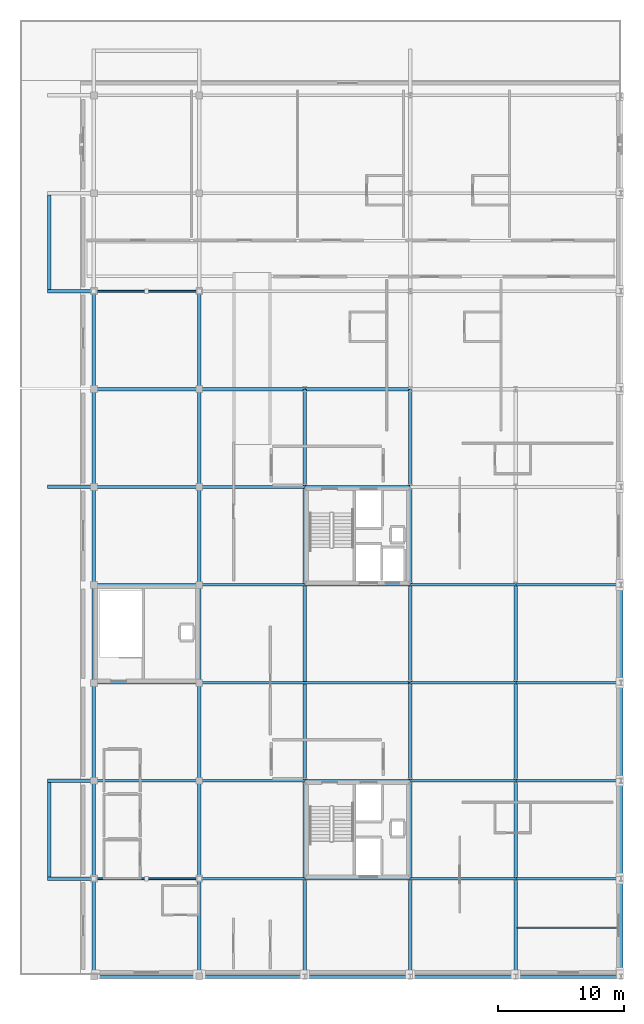
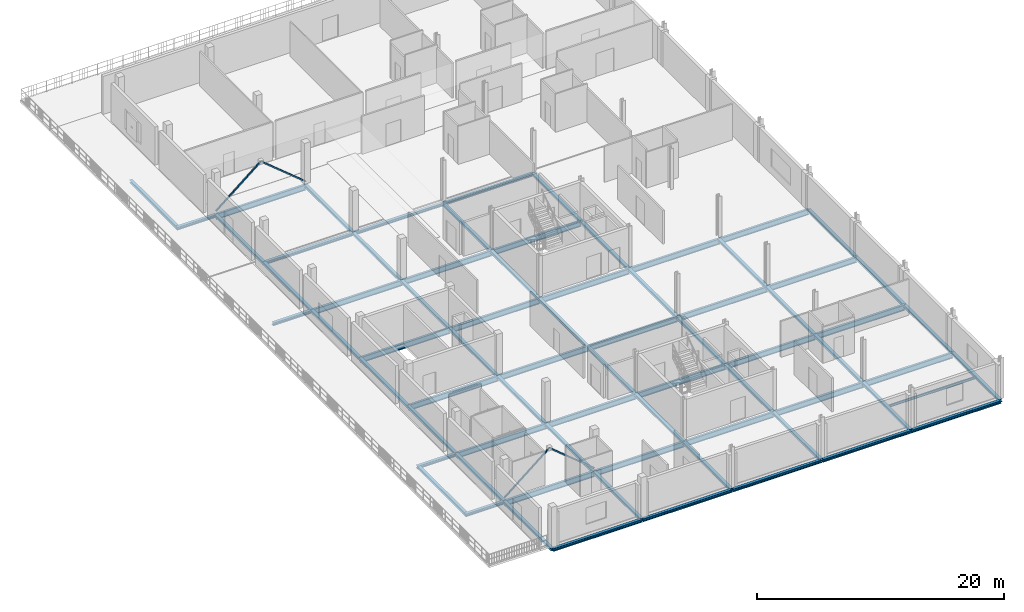
# One storey, part 5 of 16: 71 beams, 4 members.
"""IFC4 building model written with IfcOpenShell, lengths in metres."""

from ifc_helpers import new_model, si_unit, direction, frame, origin, origin_2d, place, context, subcontext, project, spatial, hollow_rectangle, i_section, extrude, material, material_profile, profile_set, type_object, element, save


model = new_model("IFC4")

# Units and contexts
model_context = context("Model", 3, precision=1e-05, world=origin(), true_north=direction((0.0, 1.0)))
body_context = subcontext(model_context, "Body", "Model", "MODEL_VIEW")
ifc_project = project(units=[si_unit("LENGTHUNIT", "METRE"), si_unit("AREAUNIT", "SQUARE_METRE"), si_unit("VOLUMEUNIT", "CUBIC_METRE"), si_unit("PLANEANGLEUNIT", "RADIAN"), si_unit("MASSUNIT", "GRAM", prefix="KILO")], contexts=[model_context])

# Site, building, storey
site_placement = place(None, origin())
site = spatial("IfcSite", under=ifc_project, at=site_placement, CompositionType="ELEMENT")
building_placement = place(site_placement, origin())
building = spatial("IfcBuilding", under=site, at=building_placement, Name="Nabrawat Pavilion Hospital", CompositionType="ELEMENT")
storey_placement = place(building_placement, frame((0.0, 0.0, 31.050048828125)))
storey = spatial("IfcBuildingStorey", under=building, at=storey_placement, Name="L07", CompositionType="ELEMENT", Elevation=31.050048828125)

# Beams
ifc_material = material(Name="Steel S355", Category="steel")
ifc_material_profile_1 = material_profile(ifc_material, i_section(OverallWidth=0.2099609375, OverallDepth=0.550048828125, WebThickness=0.010986328125, FlangeThickness=0.01708984375, FilletRadius=0.02392578125, at=origin_2d()), Name="IPE 550")
ifc_profile_set_1 = profile_set([ifc_material_profile_1], Name="Steel S355")
beam_type_1 = type_object("IfcBeamType", Name="Long-Span Floor Girder IPE 550", PredefinedType="USERDEFINED", material=ifc_profile_set_1)
beam_1_placement = place(storey_placement, frame((151.219970703125, 46.800048828125, -0.4951171875), z_axis=(1.0, 0.0, 0.0), x_axis=(0.0, 1.0, 0.0)))
element("IfcBeam", 1, at=beam_1_placement, inside=storey, type_object=beam_type_1, Name="L07 Primary X Girder 2247", ObjectType="GIRDER", PredefinedType="USERDEFINED", context=body_context, shape_type="SweptSolid", body=[
    extrude(i_section(OverallWidth=0.2099609375, OverallDepth=0.550048828125, WebThickness=0.010986328125, FlangeThickness=0.01708984375, FilletRadius=0.02392578125, at=origin_2d()), origin(), (0.0, 0.0, 1.0), 8.360107421875),
])
for number, where, z_axis, x_axis, name in (
    (2, (159.6201171875, 46.800048828125, -0.4951171875), (1.0, 0.0, 0.0), (0.0, 1.0, 0.0), "L07 Primary X Girder 2248"),
    (3, (168.02001953125, 46.800048828125, -0.4951171875), (1.0, 0.0, 0.0), (0.0, 1.0, 0.0), "L07 Primary X Girder 2249"),
):
    element("IfcBeam", number, at=place(storey_placement, frame(where, z_axis=z_axis, x_axis=x_axis)), inside=storey, type_object=beam_type_1, Name=name, ObjectType="GIRDER", PredefinedType="USERDEFINED", context=body_context, shape_type="SweptSolid", body=[
        extrude(i_section(OverallWidth=0.2099609375, OverallDepth=0.550048828125, WebThickness=0.010986328125, FlangeThickness=0.01708984375, FilletRadius=0.02392578125, at=origin_2d()), origin(), (0.0, 0.0, 1.0), 8.35986328125),
    ])
beam_2_placement = place(storey_placement, frame((176.419921875, 46.800048828125, -0.4951171875), z_axis=(1.0, 0.0, 0.0), x_axis=(0.0, 1.0, 0.0)))
element("IfcBeam", 4, at=beam_2_placement, inside=storey, type_object=beam_type_1, Name="L07 Primary X Girder 2250", ObjectType="GIRDER", PredefinedType="USERDEFINED", context=body_context, shape_type="SweptSolid", body=[
    extrude(i_section(OverallWidth=0.2099609375, OverallDepth=0.550048828125, WebThickness=0.010986328125, FlangeThickness=0.01708984375, FilletRadius=0.02392578125, at=origin_2d()), origin(), (0.0, 0.0, 1.0), 8.360107421875),
])
beam_3_placement = place(storey_placement, frame((184.820068359375, 46.800048828125, -0.4951171875), z_axis=(1.0, 0.0, 0.0), x_axis=(0.0, 1.0, 0.0)))
element("IfcBeam", 5, at=beam_3_placement, inside=storey, type_object=beam_type_1, Name="L07 Primary X Girder 2251", ObjectType="GIRDER", PredefinedType="USERDEFINED", context=body_context, shape_type="SweptSolid", body=[
    extrude(i_section(OverallWidth=0.2099609375, OverallDepth=0.550048828125, WebThickness=0.010986328125, FlangeThickness=0.01708984375, FilletRadius=0.02392578125, at=origin_2d()), origin(), (0.0, 0.0, 1.0), 8.35986328125),
])
beam_4_placement = place(storey_placement, frame((151.219970703125, 54.60009765625, -0.4951171875), z_axis=(1.0, 0.0, 0.0), x_axis=(0.0, 1.0, 0.0)))
element("IfcBeam", 6, at=beam_4_placement, inside=storey, type_object=beam_type_1, Name="L07 Primary X Girder 2252", ObjectType="GIRDER", PredefinedType="USERDEFINED", context=body_context, shape_type="SweptSolid", body=[
    extrude(i_section(OverallWidth=0.2099609375, OverallDepth=0.550048828125, WebThickness=0.010986328125, FlangeThickness=0.01708984375, FilletRadius=0.02392578125, at=origin_2d()), origin(), (0.0, 0.0, 1.0), 8.360107421875),
])
for number, where, z_axis, x_axis, name in (
    (7, (159.6201171875, 54.60009765625, -0.4951171875), (1.0, 0.0, 0.0), (0.0, 1.0, 0.0), "L07 Primary X Girder 2253"),
    (8, (168.02001953125, 54.60009765625, -0.4951171875), (1.0, 0.0, 0.0), (0.0, 1.0, 0.0), "L07 Primary X Girder 2254"),
):
    element("IfcBeam", number, at=place(storey_placement, frame(where, z_axis=z_axis, x_axis=x_axis)), inside=storey, type_object=beam_type_1, Name=name, ObjectType="GIRDER", PredefinedType="USERDEFINED", context=body_context, shape_type="SweptSolid", body=[
        extrude(i_section(OverallWidth=0.2099609375, OverallDepth=0.550048828125, WebThickness=0.010986328125, FlangeThickness=0.01708984375, FilletRadius=0.02392578125, at=origin_2d()), origin(), (0.0, 0.0, 1.0), 8.35986328125),
    ])
beam_5_placement = place(storey_placement, frame((176.419921875, 54.60009765625, -0.4951171875), z_axis=(1.0, 0.0, 0.0), x_axis=(0.0, 1.0, 0.0)))
element("IfcBeam", 9, at=beam_5_placement, inside=storey, type_object=beam_type_1, Name="L07 Primary X Girder 2255", ObjectType="GIRDER", PredefinedType="USERDEFINED", context=body_context, shape_type="SweptSolid", body=[
    extrude(i_section(OverallWidth=0.2099609375, OverallDepth=0.550048828125, WebThickness=0.010986328125, FlangeThickness=0.01708984375, FilletRadius=0.02392578125, at=origin_2d()), origin(), (0.0, 0.0, 1.0), 8.360107421875),
])
beam_6_placement = place(storey_placement, frame((184.820068359375, 54.60009765625, -0.4951171875), z_axis=(1.0, 0.0, 0.0), x_axis=(0.0, 1.0, 0.0)))
element("IfcBeam", 10, at=beam_6_placement, inside=storey, type_object=beam_type_1, Name="L07 Primary X Girder 2256", ObjectType="GIRDER", PredefinedType="USERDEFINED", context=body_context, shape_type="SweptSolid", body=[
    extrude(i_section(OverallWidth=0.2099609375, OverallDepth=0.550048828125, WebThickness=0.010986328125, FlangeThickness=0.01708984375, FilletRadius=0.02392578125, at=origin_2d()), origin(), (0.0, 0.0, 1.0), 8.35986328125),
])
beam_7_placement = place(storey_placement, frame((151.219970703125, 62.39990234375, -0.4951171875), z_axis=(1.0, 0.0, 0.0), x_axis=(0.0, 1.0, 0.0)))
element("IfcBeam", 11, at=beam_7_placement, inside=storey, type_object=beam_type_1, Name="L07 Primary X Girder 2257", ObjectType="GIRDER", PredefinedType="USERDEFINED", context=body_context, shape_type="SweptSolid", body=[
    extrude(i_section(OverallWidth=0.2099609375, OverallDepth=0.550048828125, WebThickness=0.010986328125, FlangeThickness=0.01708984375, FilletRadius=0.02392578125, at=origin_2d()), origin(), (0.0, 0.0, 1.0), 8.360107421875),
])
beam_8_placement = place(storey_placement, frame((159.6201171875, 62.39990234375, -0.4951171875), z_axis=(1.0, 0.0, 0.0), x_axis=(0.0, 1.0, 0.0)))
element("IfcBeam", 12, at=beam_8_placement, inside=storey, type_object=beam_type_1, Name="L07 Primary X Girder 2258", ObjectType="GIRDER", PredefinedType="USERDEFINED", context=body_context, shape_type="SweptSolid", body=[
    extrude(i_section(OverallWidth=0.2099609375, OverallDepth=0.550048828125, WebThickness=0.010986328125, FlangeThickness=0.01708984375, FilletRadius=0.02392578125, at=origin_2d()), origin(), (0.0, 0.0, 1.0), 16.759765625),
])
beam_9_placement = place(storey_placement, frame((176.419921875, 62.39990234375, -0.4951171875), z_axis=(1.0, 0.0, 0.0), x_axis=(0.0, 1.0, 0.0)))
element("IfcBeam", 13, at=beam_9_placement, inside=storey, type_object=beam_type_1, Name="L07 Primary X Girder 2259", ObjectType="GIRDER", PredefinedType="USERDEFINED", context=body_context, shape_type="SweptSolid", body=[
    extrude(i_section(OverallWidth=0.2099609375, OverallDepth=0.550048828125, WebThickness=0.010986328125, FlangeThickness=0.01708984375, FilletRadius=0.02392578125, at=origin_2d()), origin(), (0.0, 0.0, 1.0), 8.360107421875),
])
beam_10_placement = place(storey_placement, frame((184.820068359375, 62.39990234375, -0.4951171875), z_axis=(1.0, 0.0, 0.0), x_axis=(0.0, 1.0, 0.0)))
element("IfcBeam", 14, at=beam_10_placement, inside=storey, type_object=beam_type_1, Name="L07 Primary X Girder 2260", ObjectType="GIRDER", PredefinedType="USERDEFINED", context=body_context, shape_type="SweptSolid", body=[
    extrude(i_section(OverallWidth=0.2099609375, OverallDepth=0.550048828125, WebThickness=0.010986328125, FlangeThickness=0.01708984375, FilletRadius=0.02392578125, at=origin_2d()), origin(), (0.0, 0.0, 1.0), 8.35986328125),
])
beam_11_placement = place(storey_placement, frame((151.219970703125, 70.199951171875, -0.4951171875), z_axis=(1.0, 0.0, 0.0), x_axis=(0.0, 1.0, 0.0)))
element("IfcBeam", 15, at=beam_11_placement, inside=storey, type_object=beam_type_1, Name="L07 Primary X Girder 2261", ObjectType="GIRDER", PredefinedType="USERDEFINED", context=body_context, shape_type="SweptSolid", body=[
    extrude(i_section(OverallWidth=0.2099609375, OverallDepth=0.550048828125, WebThickness=0.010986328125, FlangeThickness=0.01708984375, FilletRadius=0.02392578125, at=origin_2d()), origin(), (0.0, 0.0, 1.0), 8.360107421875),
])
for number, where, z_axis, x_axis, name in (
    (16, (159.6201171875, 70.199951171875, -0.4951171875), (1.0, 0.0, 0.0), (0.0, 1.0, 0.0), "L07 Primary X Girder 2262"),
    (17, (168.02001953125, 70.199951171875, -0.4951171875), (1.0, 0.0, 0.0), (0.0, 1.0, 0.0), "L07 Primary X Girder 2263"),
):
    element("IfcBeam", number, at=place(storey_placement, frame(where, z_axis=z_axis, x_axis=x_axis)), inside=storey, type_object=beam_type_1, Name=name, ObjectType="GIRDER", PredefinedType="USERDEFINED", context=body_context, shape_type="SweptSolid", body=[
        extrude(i_section(OverallWidth=0.2099609375, OverallDepth=0.550048828125, WebThickness=0.010986328125, FlangeThickness=0.01708984375, FilletRadius=0.02392578125, at=origin_2d()), origin(), (0.0, 0.0, 1.0), 8.35986328125),
    ])
beam_12_placement = place(storey_placement, frame((176.419921875, 70.199951171875, -0.4951171875), z_axis=(1.0, 0.0, 0.0), x_axis=(0.0, 1.0, 0.0)))
element("IfcBeam", 18, at=beam_12_placement, inside=storey, type_object=beam_type_1, Name="L07 Primary X Girder 2264", ObjectType="GIRDER", PredefinedType="USERDEFINED", context=body_context, shape_type="SweptSolid", body=[
    extrude(i_section(OverallWidth=0.2099609375, OverallDepth=0.550048828125, WebThickness=0.010986328125, FlangeThickness=0.01708984375, FilletRadius=0.02392578125, at=origin_2d()), origin(), (0.0, 0.0, 1.0), 8.360107421875),
])
beam_13_placement = place(storey_placement, frame((184.820068359375, 70.199951171875, -0.4951171875), z_axis=(1.0, 0.0, 0.0), x_axis=(0.0, 1.0, 0.0)))
element("IfcBeam", 19, at=beam_13_placement, inside=storey, type_object=beam_type_1, Name="L07 Primary X Girder 2265", ObjectType="GIRDER", PredefinedType="USERDEFINED", context=body_context, shape_type="SweptSolid", body=[
    extrude(i_section(OverallWidth=0.2099609375, OverallDepth=0.550048828125, WebThickness=0.010986328125, FlangeThickness=0.01708984375, FilletRadius=0.02392578125, at=origin_2d()), origin(), (0.0, 0.0, 1.0), 8.35986328125),
])
beam_14_placement = place(storey_placement, frame((151.219970703125, 78.0, -0.4951171875), z_axis=(1.0, 0.0, 0.0), x_axis=(0.0, 1.0, 0.0)))
element("IfcBeam", 20, at=beam_14_placement, inside=storey, type_object=beam_type_1, Name="L07 Primary X Girder 2266", ObjectType="GIRDER", PredefinedType="USERDEFINED", context=body_context, shape_type="SweptSolid", body=[
    extrude(i_section(OverallWidth=0.2099609375, OverallDepth=0.550048828125, WebThickness=0.010986328125, FlangeThickness=0.01708984375, FilletRadius=0.02392578125, at=origin_2d()), origin(), (0.0, 0.0, 1.0), 8.360107421875),
])
for number, where, z_axis, x_axis, name in (
    (21, (159.6201171875, 78.0, -0.4951171875), (1.0, 0.0, 0.0), (0.0, 1.0, 0.0), "L07 Primary X Girder 2267"),
    (22, (168.02001953125, 78.0, -0.4951171875), (1.0, 0.0, 0.0), (0.0, 1.0, 0.0), "L07 Primary X Girder 2268"),
):
    element("IfcBeam", number, at=place(storey_placement, frame(where, z_axis=z_axis, x_axis=x_axis)), inside=storey, type_object=beam_type_1, Name=name, ObjectType="GIRDER", PredefinedType="USERDEFINED", context=body_context, shape_type="SweptSolid", body=[
        extrude(i_section(OverallWidth=0.2099609375, OverallDepth=0.550048828125, WebThickness=0.010986328125, FlangeThickness=0.01708984375, FilletRadius=0.02392578125, at=origin_2d()), origin(), (0.0, 0.0, 1.0), 8.35986328125),
    ])
beam_15_placement = place(storey_placement, frame((151.219970703125, 93.60009765625, -0.4951171875), z_axis=(1.0, 0.0, 0.0), x_axis=(0.0, 1.0, 0.0)))
element("IfcBeam", 23, at=beam_15_placement, inside=storey, type_object=beam_type_1, Name="L07 Primary X Girder 2276", ObjectType="GIRDER", PredefinedType="USERDEFINED", context=body_context, shape_type="SweptSolid", body=[
    extrude(i_section(OverallWidth=0.2099609375, OverallDepth=0.550048828125, WebThickness=0.010986328125, FlangeThickness=0.01708984375, FilletRadius=0.02392578125, at=origin_2d()), origin(), (0.0, 0.0, 1.0), 8.360107421875),
])

# Members
ifc_material_profile_2 = material_profile(ifc_material, hollow_rectangle(XDim=0.1201171875, YDim=0.1201171875, WallThickness=0.008056640625, at=origin_2d()), Name="SHS 120x120x8")
ifc_profile_set_2 = profile_set([ifc_material_profile_2], Name="Steel S355")
member_type = type_object("IfcMemberType", Name="Pavilion Bracing Tie SHS 120x120x8", PredefinedType="BRACE", material=ifc_profile_set_2)
for number, where, z_axis, x_axis, name in (
    (24, (151.199951171875, 46.800048828125, 0.050048828125), (0.772727041362, 0.0, 0.63473846547), (0.0, 1.0, 0.0), "L07 Seismic Concentric Chevron Brace 063"),
    (25, (159.60009765625, 46.800048828125, 0.050048828125), (-0.772745137627, 0.0, 0.634716434539), (0.0, -1.0, 0.0), "L07 Seismic Concentric Chevron Brace 064"),
    (26, (151.199951171875, 93.60009765625, 0.050048828125), (0.772727041362, 0.0, 0.63473846547), (0.0, 1.0, 0.0), "L07 Seismic Concentric Chevron Brace 081"),
    (27, (159.60009765625, 93.60009765625, 0.050048828125), (-0.772745137627, 0.0, 0.634716434539), (0.0, -1.0, 0.0), "L07 Seismic Concentric Chevron Brace 082"),
):
    element("IfcMember", number, at=place(storey_placement, frame(where, z_axis=z_axis, x_axis=x_axis)), inside=storey, type_object=member_type, Name=name, PredefinedType="BRACE", context=body_context, shape_type="SweptSolid", body=[
        extrude(hollow_rectangle(XDim=0.1201171875, YDim=0.1201171875, WallThickness=0.008056640625, at=origin_2d()), origin(), (0.0, 0.0, 1.0), 5.435302734375),
    ])

# Beams
ifc_material_profile_3 = material_profile(ifc_material, i_section(OverallWidth=0.280029296875, OverallDepth=0.27001953125, WebThickness=0.008056640625, FlangeThickness=0.012939453125, FilletRadius=0.02392578125, at=origin_2d()), Name="HEA 280")
ifc_profile_set_3 = profile_set([ifc_material_profile_3], Name="Steel S355")
beam_type_2 = type_object("IfcBeamType", Name="Top Ward Floor Beam HEA 280", PredefinedType="BEAM", material=ifc_profile_set_3)
for number, where, z_axis, x_axis, name in (
    (28, (151.199951171875, 39.02001953125, -0.35498046875), (0.0, 1.0, 0.0), (-1.0, 0.0, 0.0), "L07 Primary Y Beam 2285"),
    (29, (151.199951171875, 46.820068359375, -0.35498046875), (0.0, 1.0, 0.0), (-1.0, 0.0, 0.0), "L07 Primary Y Beam 2286"),
):
    element("IfcBeam", number, at=place(storey_placement, frame(where, z_axis=z_axis, x_axis=x_axis)), inside=storey, type_object=beam_type_2, Name=name, PredefinedType="BEAM", context=body_context, shape_type="SweptSolid", body=[
        extrude(i_section(OverallWidth=0.280029296875, OverallDepth=0.27001953125, WebThickness=0.008056640625, FlangeThickness=0.012939453125, FilletRadius=0.02392578125, at=origin_2d()), origin(), (0.0, 0.0, 1.0), 7.760009765625),
    ])
beam_16_placement = place(storey_placement, frame((151.199951171875, 54.6201171875, -0.35498046875), z_axis=(0.0, 1.0, 0.0), x_axis=(-1.0, 0.0, 0.0)))
element("IfcBeam", 30, at=beam_16_placement, inside=storey, type_object=beam_type_2, Name="L07 Primary Y Beam 2287", PredefinedType="BEAM", context=body_context, shape_type="SweptSolid", body=[
    extrude(i_section(OverallWidth=0.280029296875, OverallDepth=0.27001953125, WebThickness=0.008056640625, FlangeThickness=0.012939453125, FilletRadius=0.02392578125, at=origin_2d()), origin(), (0.0, 0.0, 1.0), 7.759765625),
])
for number, where, z_axis, x_axis, name in (
    (31, (151.199951171875, 62.419921875, -0.35498046875), (0.0, 1.0, 0.0), (-1.0, 0.0, 0.0), "L07 Primary Y Beam 2288"),
    (32, (151.199951171875, 70.219970703125, -0.35498046875), (0.0, 1.0, 0.0), (-1.0, 0.0, 0.0), "L07 Primary Y Beam 2289"),
    (33, (151.199951171875, 78.02001953125, -0.35498046875), (0.0, 1.0, 0.0), (-1.0, 0.0, 0.0), "L07 Primary Y Beam 2290"),
    (34, (151.199951171875, 85.820068359375, -0.35498046875), (0.0, 1.0, 0.0), (-1.0, 0.0, 0.0), "L07 Primary Y Beam 2291"),
    (35, (159.60009765625, 39.02001953125, -0.35498046875), (0.0, 1.0, 0.0), (-1.0, 0.0, 0.0), "L07 Primary Y Beam 2294"),
    (36, (159.60009765625, 46.820068359375, -0.35498046875), (0.0, 1.0, 0.0), (-1.0, 0.0, 0.0), "L07 Primary Y Beam 2295"),
):
    element("IfcBeam", number, at=place(storey_placement, frame(where, z_axis=z_axis, x_axis=x_axis)), inside=storey, type_object=beam_type_2, Name=name, PredefinedType="BEAM", context=body_context, shape_type="SweptSolid", body=[
        extrude(i_section(OverallWidth=0.280029296875, OverallDepth=0.27001953125, WebThickness=0.008056640625, FlangeThickness=0.012939453125, FilletRadius=0.02392578125, at=origin_2d()), origin(), (0.0, 0.0, 1.0), 7.760009765625),
    ])
beam_17_placement = place(storey_placement, frame((159.60009765625, 54.6201171875, -0.35498046875), z_axis=(0.0, 1.0, 0.0), x_axis=(-1.0, 0.0, 0.0)))
element("IfcBeam", 37, at=beam_17_placement, inside=storey, type_object=beam_type_2, Name="L07 Primary Y Beam 2296", PredefinedType="BEAM", context=body_context, shape_type="SweptSolid", body=[
    extrude(i_section(OverallWidth=0.280029296875, OverallDepth=0.27001953125, WebThickness=0.008056640625, FlangeThickness=0.012939453125, FilletRadius=0.02392578125, at=origin_2d()), origin(), (0.0, 0.0, 1.0), 7.759765625),
])
for number, where, z_axis, x_axis, name in (
    (38, (159.60009765625, 62.419921875, -0.35498046875), (0.0, 1.0, 0.0), (-1.0, 0.0, 0.0), "L07 Primary Y Beam 2297"),
    (39, (159.60009765625, 70.219970703125, -0.35498046875), (0.0, 1.0, 0.0), (-1.0, 0.0, 0.0), "L07 Primary Y Beam 2298"),
    (40, (159.60009765625, 78.02001953125, -0.35498046875), (0.0, 1.0, 0.0), (-1.0, 0.0, 0.0), "L07 Primary Y Beam 2299"),
    (41, (159.60009765625, 85.820068359375, -0.35498046875), (0.0, 1.0, 0.0), (-1.0, 0.0, 0.0), "L07 Primary Y Beam 2300"),
    (42, (168.0, 39.02001953125, -0.35498046875), (0.0, 1.0, 0.0), (-1.0, 0.0, 0.0), "L07 Primary Y Beam 2303"),
    (43, (168.0, 46.820068359375, -0.35498046875), (0.0, 1.0, 0.0), (-1.0, 0.0, 0.0), "L07 Primary Y Beam 2304"),
):
    element("IfcBeam", number, at=place(storey_placement, frame(where, z_axis=z_axis, x_axis=x_axis)), inside=storey, type_object=beam_type_2, Name=name, PredefinedType="BEAM", context=body_context, shape_type="SweptSolid", body=[
        extrude(i_section(OverallWidth=0.280029296875, OverallDepth=0.27001953125, WebThickness=0.008056640625, FlangeThickness=0.012939453125, FilletRadius=0.02392578125, at=origin_2d()), origin(), (0.0, 0.0, 1.0), 7.760009765625),
    ])
beam_18_placement = place(storey_placement, frame((168.0, 54.6201171875, -0.35498046875), z_axis=(0.0, 1.0, 0.0), x_axis=(-1.0, 0.0, 0.0)))
element("IfcBeam", 44, at=beam_18_placement, inside=storey, type_object=beam_type_2, Name="L07 Primary Y Beam 2305", PredefinedType="BEAM", context=body_context, shape_type="SweptSolid", body=[
    extrude(i_section(OverallWidth=0.280029296875, OverallDepth=0.27001953125, WebThickness=0.008056640625, FlangeThickness=0.012939453125, FilletRadius=0.02392578125, at=origin_2d()), origin(), (0.0, 0.0, 1.0), 15.559814453125),
])
for number, where, z_axis, x_axis, name in (
    (45, (168.0, 70.219970703125, -0.35498046875), (0.0, 1.0, 0.0), (-1.0, 0.0, 0.0), "L07 Primary Y Beam 2306"),
    (46, (168.0, 78.02001953125, -0.35498046875), (0.0, 1.0, 0.0), (-1.0, 0.0, 0.0), "L07 Primary Y Beam 2307"),
    (47, (176.39990234375, 39.02001953125, -0.35498046875), (0.0, 1.0, 0.0), (-1.0, 0.0, 0.0), "L07 Primary Y Beam 2308"),
    (48, (176.39990234375, 46.820068359375, -0.35498046875), (0.0, 1.0, 0.0), (-1.0, 0.0, 0.0), "L07 Primary Y Beam 2309"),
):
    element("IfcBeam", number, at=place(storey_placement, frame(where, z_axis=z_axis, x_axis=x_axis)), inside=storey, type_object=beam_type_2, Name=name, PredefinedType="BEAM", context=body_context, shape_type="SweptSolid", body=[
        extrude(i_section(OverallWidth=0.280029296875, OverallDepth=0.27001953125, WebThickness=0.008056640625, FlangeThickness=0.012939453125, FilletRadius=0.02392578125, at=origin_2d()), origin(), (0.0, 0.0, 1.0), 7.760009765625),
    ])
beam_19_placement = place(storey_placement, frame((176.39990234375, 54.6201171875, -0.35498046875), z_axis=(0.0, 1.0, 0.0), x_axis=(-1.0, 0.0, 0.0)))
element("IfcBeam", 49, at=beam_19_placement, inside=storey, type_object=beam_type_2, Name="L07 Primary Y Beam 2310", PredefinedType="BEAM", context=body_context, shape_type="SweptSolid", body=[
    extrude(i_section(OverallWidth=0.280029296875, OverallDepth=0.27001953125, WebThickness=0.008056640625, FlangeThickness=0.012939453125, FilletRadius=0.02392578125, at=origin_2d()), origin(), (0.0, 0.0, 1.0), 7.759765625),
])
for number, where, z_axis, x_axis, name in (
    (50, (176.39990234375, 62.419921875, -0.35498046875), (0.0, 1.0, 0.0), (-1.0, 0.0, 0.0), "L07 Primary Y Beam 2311"),
    (51, (176.39990234375, 70.219970703125, -0.35498046875), (0.0, 1.0, 0.0), (-1.0, 0.0, 0.0), "L07 Primary Y Beam 2312"),
    (52, (176.39990234375, 78.02001953125, -0.35498046875), (0.0, 1.0, 0.0), (-1.0, 0.0, 0.0), "L07 Primary Y Beam 2313"),
    (53, (184.800048828125, 39.02001953125, -0.35498046875), (0.0, 1.0, 0.0), (-1.0, 0.0, 0.0), "L07 Primary Y Beam 2317"),
    (54, (184.800048828125, 46.820068359375, -0.35498046875), (0.0, 1.0, 0.0), (-1.0, 0.0, 0.0), "L07 Primary Y Beam 2318"),
):
    element("IfcBeam", number, at=place(storey_placement, frame(where, z_axis=z_axis, x_axis=x_axis)), inside=storey, type_object=beam_type_2, Name=name, PredefinedType="BEAM", context=body_context, shape_type="SweptSolid", body=[
        extrude(i_section(OverallWidth=0.280029296875, OverallDepth=0.27001953125, WebThickness=0.008056640625, FlangeThickness=0.012939453125, FilletRadius=0.02392578125, at=origin_2d()), origin(), (0.0, 0.0, 1.0), 7.760009765625),
    ])
beam_20_placement = place(storey_placement, frame((184.800048828125, 54.6201171875, -0.35498046875), z_axis=(0.0, 1.0, 0.0), x_axis=(-1.0, 0.0, 0.0)))
element("IfcBeam", 55, at=beam_20_placement, inside=storey, type_object=beam_type_2, Name="L07 Primary Y Beam 2319", PredefinedType="BEAM", context=body_context, shape_type="SweptSolid", body=[
    extrude(i_section(OverallWidth=0.280029296875, OverallDepth=0.27001953125, WebThickness=0.008056640625, FlangeThickness=0.012939453125, FilletRadius=0.02392578125, at=origin_2d()), origin(), (0.0, 0.0, 1.0), 7.759765625),
])
beam_21_placement = place(storey_placement, frame((184.800048828125, 62.419921875, -0.35498046875), z_axis=(0.0, 1.0, 0.0), x_axis=(-1.0, 0.0, 0.0)))
element("IfcBeam", 56, at=beam_21_placement, inside=storey, type_object=beam_type_2, Name="L07 Primary Y Beam 2320", PredefinedType="BEAM", context=body_context, shape_type="SweptSolid", body=[
    extrude(i_section(OverallWidth=0.280029296875, OverallDepth=0.27001953125, WebThickness=0.008056640625, FlangeThickness=0.012939453125, FilletRadius=0.02392578125, at=origin_2d()), origin(), (0.0, 0.0, 1.0), 7.760009765625),
])
ifc_material_profile_4 = material_profile(ifc_material, i_section(OverallWidth=0.1201171875, OverallDepth=0.239990234375, WebThickness=0.006103515625, FlangeThickness=0.009765625, FilletRadius=0.014892578125, at=origin_2d()), Name="IPE 240")
ifc_profile_set_4 = profile_set([ifc_material_profile_4], Name="Steel S355")
beam_type_3 = type_object("IfcBeamType", Name="Top Ward Secondary Joist IPE 240", PredefinedType="JOIST", material=ifc_profile_set_4)
beam_22_placement = place(storey_placement, frame((184.9150390625, 42.89990234375, -0.340087890625), z_axis=(1.0, 0.0, 0.0), x_axis=(0.0, 1.0, 0.0)))
element("IfcBeam", 57, at=beam_22_placement, inside=storey, type_object=beam_type_3, Name="L07 Secondary Composite Floor Joist 2333", PredefinedType="JOIST", context=body_context, shape_type="SweptSolid", body=[
    extrude(i_section(OverallWidth=0.1201171875, OverallDepth=0.239990234375, WebThickness=0.006103515625, FlangeThickness=0.009765625, FilletRadius=0.014892578125, at=origin_2d()), origin(), (0.0, 0.0, 1.0), 8.169921875),
])
ifc_material_profile_5 = material_profile(ifc_material, i_section(OverallWidth=0.280029296875, OverallDepth=0.280029296875, WebThickness=0.010498046875, FlangeThickness=0.01806640625, FilletRadius=0.02392578125, at=origin_2d()), Name="HEB 280")
ifc_profile_set_5 = profile_set([ifc_material_profile_5], Name="Steel S355")
beam_type_4 = type_object("IfcBeamType", Name="Upper Terrace Edge Spandrel HEB 280", PredefinedType="SPANDREL", material=ifc_profile_set_5)
beam_23_placement = place(storey_placement, frame((151.219970703125, 39.0, -0.360107421875), z_axis=(1.0, 0.0, 0.0), x_axis=(0.0, 1.0, 0.0)))
element("IfcBeam", 58, at=beam_23_placement, inside=storey, type_object=beam_type_4, Name="L07 Primary X Girder 2242", PredefinedType="SPANDREL", context=body_context, shape_type="SweptSolid", body=[
    extrude(i_section(OverallWidth=0.280029296875, OverallDepth=0.280029296875, WebThickness=0.010498046875, FlangeThickness=0.01806640625, FilletRadius=0.02392578125, at=origin_2d()), origin(), (0.0, 0.0, 1.0), 8.360107421875),
])
for number, where, z_axis, x_axis, name in (
    (59, (159.6201171875, 39.0, -0.360107421875), (1.0, 0.0, 0.0), (0.0, 1.0, 0.0), "L07 Primary X Girder 2243"),
    (60, (168.02001953125, 39.0, -0.360107421875), (1.0, 0.0, 0.0), (0.0, 1.0, 0.0), "L07 Primary X Girder 2244"),
):
    element("IfcBeam", number, at=place(storey_placement, frame(where, z_axis=z_axis, x_axis=x_axis)), inside=storey, type_object=beam_type_4, Name=name, PredefinedType="SPANDREL", context=body_context, shape_type="SweptSolid", body=[
        extrude(i_section(OverallWidth=0.280029296875, OverallDepth=0.280029296875, WebThickness=0.010498046875, FlangeThickness=0.01806640625, FilletRadius=0.02392578125, at=origin_2d()), origin(), (0.0, 0.0, 1.0), 8.35986328125),
    ])
beam_24_placement = place(storey_placement, frame((176.419921875, 39.0, -0.360107421875), z_axis=(1.0, 0.0, 0.0), x_axis=(0.0, 1.0, 0.0)))
element("IfcBeam", 61, at=beam_24_placement, inside=storey, type_object=beam_type_4, Name="L07 Primary X Girder 2245", PredefinedType="SPANDREL", context=body_context, shape_type="SweptSolid", body=[
    extrude(i_section(OverallWidth=0.280029296875, OverallDepth=0.280029296875, WebThickness=0.010498046875, FlangeThickness=0.01806640625, FilletRadius=0.02392578125, at=origin_2d()), origin(), (0.0, 0.0, 1.0), 8.360107421875),
])
beam_25_placement = place(storey_placement, frame((184.820068359375, 39.0, -0.360107421875), z_axis=(1.0, 0.0, 0.0), x_axis=(0.0, 1.0, 0.0)))
element("IfcBeam", 62, at=beam_25_placement, inside=storey, type_object=beam_type_4, Name="L07 Primary X Girder 2246", PredefinedType="SPANDREL", context=body_context, shape_type="SweptSolid", body=[
    extrude(i_section(OverallWidth=0.280029296875, OverallDepth=0.280029296875, WebThickness=0.010498046875, FlangeThickness=0.01806640625, FilletRadius=0.02392578125, at=origin_2d()), origin(), (0.0, 0.0, 1.0), 8.35986328125),
])
beam_26_placement = place(storey_placement, frame((151.219970703125, 85.800048828125, -0.360107421875), z_axis=(1.0, 0.0, 0.0), x_axis=(0.0, 1.0, 0.0)))
element("IfcBeam", 63, at=beam_26_placement, inside=storey, type_object=beam_type_4, Name="L07 Primary X Girder 2271", PredefinedType="SPANDREL", context=body_context, shape_type="SweptSolid", body=[
    extrude(i_section(OverallWidth=0.280029296875, OverallDepth=0.280029296875, WebThickness=0.010498046875, FlangeThickness=0.01806640625, FilletRadius=0.02392578125, at=origin_2d()), origin(), (0.0, 0.0, 1.0), 8.360107421875),
])
for number, where, z_axis, x_axis, name in (
    (64, (159.6201171875, 85.800048828125, -0.360107421875), (1.0, 0.0, 0.0), (0.0, 1.0, 0.0), "L07 Primary X Girder 2272"),
    (65, (168.02001953125, 85.800048828125, -0.360107421875), (1.0, 0.0, 0.0), (0.0, 1.0, 0.0), "L07 Primary X Girder 2273"),
):
    element("IfcBeam", number, at=place(storey_placement, frame(where, z_axis=z_axis, x_axis=x_axis)), inside=storey, type_object=beam_type_4, Name=name, PredefinedType="SPANDREL", context=body_context, shape_type="SweptSolid", body=[
        extrude(i_section(OverallWidth=0.280029296875, OverallDepth=0.280029296875, WebThickness=0.010498046875, FlangeThickness=0.01806640625, FilletRadius=0.02392578125, at=origin_2d()), origin(), (0.0, 0.0, 1.0), 8.35986328125),
    ])
for number, where, z_axis, x_axis, name in (
    (66, (193.199951171875, 39.02001953125, -0.360107421875), (0.0, 1.0, 0.0), (-1.0, 0.0, 0.0), "L07 Primary Y Beam 2323"),
    (67, (193.199951171875, 46.820068359375, -0.360107421875), (0.0, 1.0, 0.0), (-1.0, 0.0, 0.0), "L07 Primary Y Beam 2324"),
):
    element("IfcBeam", number, at=place(storey_placement, frame(where, z_axis=z_axis, x_axis=x_axis)), inside=storey, type_object=beam_type_4, Name=name, PredefinedType="SPANDREL", context=body_context, shape_type="SweptSolid", body=[
        extrude(i_section(OverallWidth=0.280029296875, OverallDepth=0.280029296875, WebThickness=0.010498046875, FlangeThickness=0.01806640625, FilletRadius=0.02392578125, at=origin_2d()), origin(), (0.0, 0.0, 1.0), 7.760009765625),
    ])
beam_27_placement = place(storey_placement, frame((193.199951171875, 54.6201171875, -0.360107421875), z_axis=(0.0, 1.0, 0.0), x_axis=(-1.0, 0.0, 0.0)))
element("IfcBeam", 68, at=beam_27_placement, inside=storey, type_object=beam_type_4, Name="L07 Primary Y Beam 2325", PredefinedType="SPANDREL", context=body_context, shape_type="SweptSolid", body=[
    extrude(i_section(OverallWidth=0.280029296875, OverallDepth=0.280029296875, WebThickness=0.010498046875, FlangeThickness=0.01806640625, FilletRadius=0.02392578125, at=origin_2d()), origin(), (0.0, 0.0, 1.0), 7.759765625),
])
beam_28_placement = place(storey_placement, frame((193.199951171875, 62.419921875, -0.360107421875), z_axis=(0.0, 1.0, 0.0), x_axis=(-1.0, 0.0, 0.0)))
element("IfcBeam", 69, at=beam_28_placement, inside=storey, type_object=beam_type_4, Name="L07 Primary Y Beam 2326", PredefinedType="SPANDREL", context=body_context, shape_type="SweptSolid", body=[
    extrude(i_section(OverallWidth=0.280029296875, OverallDepth=0.280029296875, WebThickness=0.010498046875, FlangeThickness=0.01806640625, FilletRadius=0.02392578125, at=origin_2d()), origin(), (0.0, 0.0, 1.0), 7.760009765625),
])
for number, where, z_axis, x_axis, name in (
    (70, (147.5, 46.800048828125, -0.360107421875), (1.0, 0.0, 0.0), (0.0, 1.0, 0.0), "L07 Clinical Terrace Outrigger Support Beam 09"),
    (71, (147.5, 54.60009765625, -0.360107421875), (1.0, 0.0, 0.0), (0.0, 1.0, 0.0), "L07 Clinical Terrace Outrigger Support Beam 10"),
    (72, (147.5, 78.0, -0.360107421875), (1.0, 0.0, 0.0), (0.0, 1.0, 0.0), "L07 Clinical Terrace Outrigger Support Beam 11"),
):
    element("IfcBeam", number, at=place(storey_placement, frame(where, z_axis=z_axis, x_axis=x_axis)), inside=storey, type_object=beam_type_4, Name=name, PredefinedType="SPANDREL", context=body_context, shape_type="SweptSolid", body=[
        extrude(i_section(OverallWidth=0.280029296875, OverallDepth=0.280029296875, WebThickness=0.010498046875, FlangeThickness=0.01806640625, FilletRadius=0.02392578125, at=origin_2d()), origin(), (0.0, 0.0, 1.0), 3.679931640625),
    ])
beam_29_placement = place(storey_placement, frame((147.64990234375, 46.93994140625, -0.360107421875), z_axis=(0.0, 1.0, 0.0), x_axis=(-1.0, 0.0, 0.0)))
element("IfcBeam", 73, at=beam_29_placement, inside=storey, type_object=beam_type_4, Name="L07 Clinical Terrace Outrigger Support Beam 12", PredefinedType="SPANDREL", context=body_context, shape_type="SweptSolid", body=[
    extrude(i_section(OverallWidth=0.280029296875, OverallDepth=0.280029296875, WebThickness=0.010498046875, FlangeThickness=0.01806640625, FilletRadius=0.02392578125, at=origin_2d()), origin(), (0.0, 0.0, 1.0), 7.52001953125),
])
beam_30_placement = place(storey_placement, frame((147.5, 93.60009765625, -0.360107421875), z_axis=(1.0, 0.0, 0.0), x_axis=(0.0, 1.0, 0.0)))
element("IfcBeam", 74, at=beam_30_placement, inside=storey, type_object=beam_type_4, Name="L07 Clinical Terrace Outrigger Support Beam 13", PredefinedType="SPANDREL", context=body_context, shape_type="SweptSolid", body=[
    extrude(i_section(OverallWidth=0.280029296875, OverallDepth=0.280029296875, WebThickness=0.010498046875, FlangeThickness=0.01806640625, FilletRadius=0.02392578125, at=origin_2d()), origin(), (0.0, 0.0, 1.0), 3.679931640625),
])
beam_31_placement = place(storey_placement, frame((147.64990234375, 93.739990234375, -0.360107421875), z_axis=(0.0, 1.0, 0.0), x_axis=(-1.0, 0.0, 0.0)))
element("IfcBeam", 75, at=beam_31_placement, inside=storey, type_object=beam_type_4, Name="L07 Clinical Terrace Outrigger Support Beam 16", PredefinedType="SPANDREL", context=body_context, shape_type="SweptSolid", body=[
    extrude(i_section(OverallWidth=0.280029296875, OverallDepth=0.280029296875, WebThickness=0.010498046875, FlangeThickness=0.01806640625, FilletRadius=0.02392578125, at=origin_2d()), origin(), (0.0, 0.0, 1.0), 7.52001953125),
])

save(model, "model.ifc")
